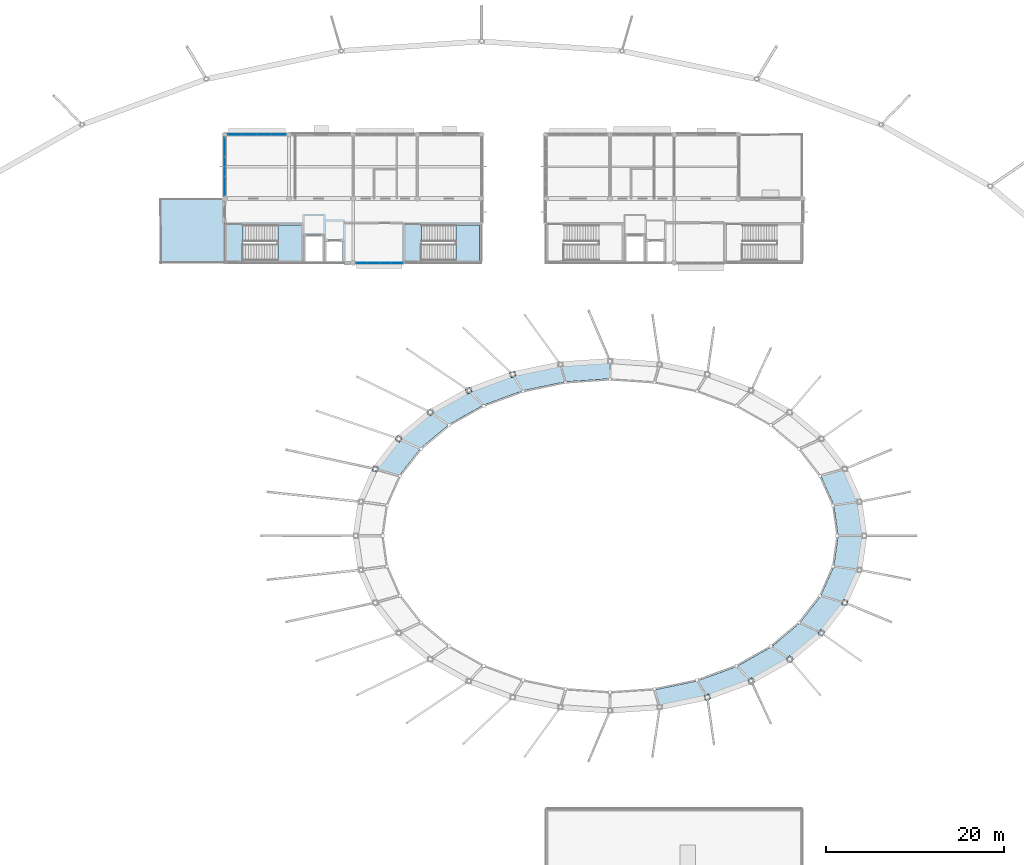
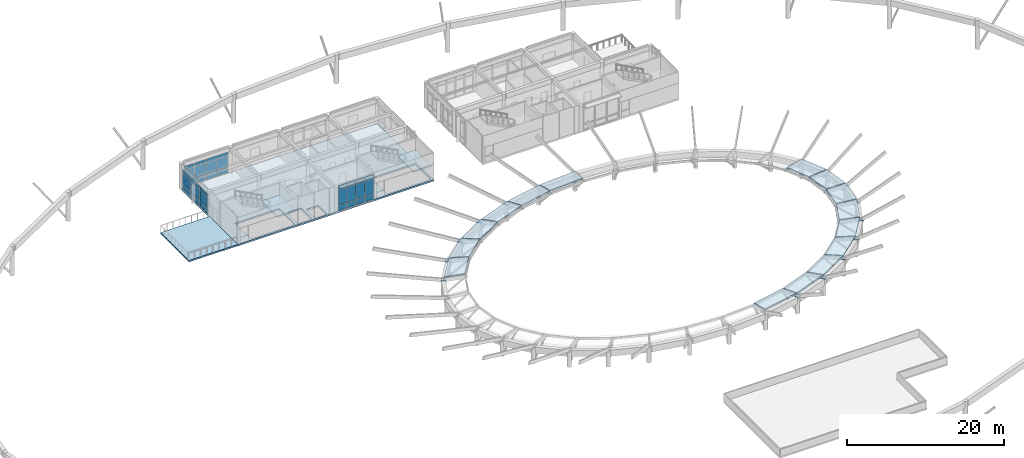
# One storey, part 15 of 37: 43 plates, 19 slabs, 5 elements without a shape of their own.
"""IFC4 building model written with IfcOpenShell, lengths in metres."""

from ifc_helpers import new_model, si_unit, direction, frame, origin, origin_2d, place, context, subcontext, project, spatial, polyline, rectangle, outline, extrude, material, layer, layer_set, type_object, element, aggregate, save


model = new_model("IFC4")

# Units and contexts
model_context = context("Model", 3, precision=1e-05, world=origin(), true_north=direction((0.0, 1.0)))
body_context = subcontext(model_context, "Body", "Model", "MODEL_VIEW")
ifc_project = project(units=[si_unit("LENGTHUNIT", "METRE"), si_unit("AREAUNIT", "SQUARE_METRE"), si_unit("VOLUMEUNIT", "CUBIC_METRE"), si_unit("PLANEANGLEUNIT", "RADIAN"), si_unit("MASSUNIT", "GRAM", prefix="KILO")], contexts=[model_context])

# Site, building, storey
site_placement = place(None, origin())
site = spatial("IfcSite", under=ifc_project, at=site_placement, CompositionType="ELEMENT")
building_placement = place(site_placement, origin())
building = spatial("IfcBuilding", under=site, at=building_placement, Name="Namkhue Oval Health Centre", CompositionType="ELEMENT")
storey_placement = place(building_placement, frame((0.0, 0.0, 22.199951171875)))
storey = spatial("IfcBuildingStorey", under=building, at=storey_placement, Name="L05", CompositionType="ELEMENT", Elevation=22.199951171875)

# Curtain wall, plates
ifc_material_1 = material(Name="Anodised aluminium EN AW-6063 T6", Category="aluminium")
ifc_layer_1 = layer(ifc_material_1, 0.159912109375)
ifc_layer_set_1 = layer_set([ifc_layer_1], Name="Anodised aluminium EN AW-6063 T6")
curtain_wall_type_1 = type_object("IfcCurtainWallType", Name="UNITISED CURTAIN WALL M1200", PredefinedType="NOTDEFINED", material=ifc_layer_set_1)
curtain_wall_1_placement = place(storey_placement, origin())
curtain_wall_1 = element("IfcCurtainWall", 1, at=curtain_wall_1_placement, inside=storey, type_object=curtain_wall_type_1, Name="Volume V2 L05 Unitised Curtain Wall 85", PredefinedType="NOTDEFINED")
ifc_material_2 = material(Name="Thermally broken low-E laminated double glazing", Category="glass")
ifc_layer_2 = layer(ifc_material_2, 0.02587890625)
ifc_layer_set_2 = layer_set([ifc_layer_2], Name="Thermally broken low-E laminated double glazing")
plate_type_1 = type_object("IfcPlateType", Name="CURTAIN WALL GLAZED PANEL 26", PredefinedType="CURTAIN_PANEL", material=ifc_layer_set_2)
plate_1_placement = place(storey_placement, frame((72.9853515625, 90.0, 0.06494140625), z_axis=(0.0, 0.0, 1.0), x_axis=(1.0, 0.0, 0.0)))
plate_1 = element("IfcPlate", 2, at=plate_1_placement, type_object=plate_type_1, Name="CW-01 panel 1.1", PredefinedType="CURTAIN_PANEL", context=body_context, shape_type="SweptSolid", body=[
    extrude(rectangle(XDim=1.220703125, YDim=0.02587890625, at=origin_2d()), origin(), (0.0, 0.0, 1.0), 0.802490234375),
])
plate_2_placement = place(storey_placement, frame((72.9853515625, 90.0, 0.9326171875), z_axis=(0.0, 0.0, 1.0), x_axis=(1.0, 0.0, 0.0)))
plate_2 = element("IfcPlate", 3, at=plate_2_placement, type_object=plate_type_1, Name="CW-01 panel 1.2", PredefinedType="CURTAIN_PANEL", context=body_context, shape_type="SweptSolid", body=[
    extrude(rectangle(XDim=1.220703125, YDim=0.02587890625, at=origin_2d()), origin(), (0.0, 0.0, 1.0), 2.360107421875),
])
plate_3_placement = place(storey_placement, frame((72.9853515625, 90.0, 3.357421875), z_axis=(0.0, 0.0, 1.0), x_axis=(1.0, 0.0, 0.0)))
plate_3 = element("IfcPlate", 4, at=plate_3_placement, type_object=plate_type_1, Name="CW-01 panel 1.3", PredefinedType="CURTAIN_PANEL", context=body_context, shape_type="SweptSolid", body=[
    extrude(rectangle(XDim=1.220703125, YDim=0.02587890625, at=origin_2d()), origin(), (0.0, 0.0, 1.0), 0.552490234375),
])
plate_4_placement = place(storey_placement, frame((74.287353515625, 90.0, 0.06494140625), z_axis=(0.0, 0.0, 1.0), x_axis=(1.0, 0.0, 0.0)))
plate_4 = element("IfcPlate", 5, at=plate_4_placement, type_object=plate_type_1, Name="CW-01 panel 2.1", PredefinedType="CURTAIN_PANEL", context=body_context, shape_type="SweptSolid", body=[
    extrude(rectangle(XDim=1.253173828125, YDim=0.02587890625, at=origin_2d()), origin(), (0.0, 0.0, 1.0), 0.802490234375),
])
plate_5_placement = place(storey_placement, frame((74.287353515625, 90.0, 0.9326171875), z_axis=(0.0, 0.0, 1.0), x_axis=(1.0, 0.0, 0.0)))
plate_5 = element("IfcPlate", 6, at=plate_5_placement, type_object=plate_type_1, Name="CW-01 panel 2.2", PredefinedType="CURTAIN_PANEL", context=body_context, shape_type="SweptSolid", body=[
    extrude(rectangle(XDim=1.253173828125, YDim=0.02587890625, at=origin_2d()), origin(), (0.0, 0.0, 1.0), 2.360107421875),
])
plate_6_placement = place(storey_placement, frame((74.287353515625, 90.0, 3.357421875), z_axis=(0.0, 0.0, 1.0), x_axis=(1.0, 0.0, 0.0)))
plate_6 = element("IfcPlate", 7, at=plate_6_placement, type_object=plate_type_1, Name="CW-01 panel 2.3", PredefinedType="CURTAIN_PANEL", context=body_context, shape_type="SweptSolid", body=[
    extrude(rectangle(XDim=1.253173828125, YDim=0.02587890625, at=origin_2d()), origin(), (0.0, 0.0, 1.0), 0.552490234375),
])
plate_7_placement = place(storey_placement, frame((75.605712890625, 90.0, 0.06494140625), z_axis=(0.0, 0.0, 1.0), x_axis=(1.0, 0.0, 0.0)))
plate_7 = element("IfcPlate", 8, at=plate_7_placement, type_object=plate_type_1, Name="CW-01 panel 3.1", PredefinedType="CURTAIN_PANEL", context=body_context, shape_type="SweptSolid", body=[
    extrude(rectangle(XDim=1.253173828125, YDim=0.02587890625, at=origin_2d()), origin(), (0.0, 0.0, 1.0), 0.802490234375),
])
plate_8_placement = place(storey_placement, frame((75.605712890625, 90.0, 0.9326171875), z_axis=(0.0, 0.0, 1.0), x_axis=(1.0, 0.0, 0.0)))
plate_8 = element("IfcPlate", 9, at=plate_8_placement, type_object=plate_type_1, Name="CW-01 panel 3.2", PredefinedType="CURTAIN_PANEL", context=body_context, shape_type="SweptSolid", body=[
    extrude(rectangle(XDim=1.253173828125, YDim=0.02587890625, at=origin_2d()), origin(), (0.0, 0.0, 1.0), 2.360107421875),
])
plate_9_placement = place(storey_placement, frame((75.605712890625, 90.0, 3.357421875), z_axis=(0.0, 0.0, 1.0), x_axis=(1.0, 0.0, 0.0)))
plate_9 = element("IfcPlate", 10, at=plate_9_placement, type_object=plate_type_1, Name="CW-01 panel 3.3", PredefinedType="CURTAIN_PANEL", context=body_context, shape_type="SweptSolid", body=[
    extrude(rectangle(XDim=1.253173828125, YDim=0.02587890625, at=origin_2d()), origin(), (0.0, 0.0, 1.0), 0.552490234375),
])
plate_10_placement = place(storey_placement, frame((76.90771484375, 90.0, 0.06494140625), z_axis=(0.0, 0.0, 1.0), x_axis=(1.0, 0.0, 0.0)))
plate_10 = element("IfcPlate", 11, at=plate_10_placement, type_object=plate_type_1, Name="CW-01 panel 4.1", PredefinedType="CURTAIN_PANEL", context=body_context, shape_type="SweptSolid", body=[
    extrude(rectangle(XDim=1.220703125, YDim=0.02587890625, at=origin_2d()), origin(), (0.0, 0.0, 1.0), 0.802490234375),
])
plate_11_placement = place(storey_placement, frame((76.90771484375, 90.0, 0.9326171875), z_axis=(0.0, 0.0, 1.0), x_axis=(1.0, 0.0, 0.0)))
plate_11 = element("IfcPlate", 12, at=plate_11_placement, type_object=plate_type_1, Name="CW-01 panel 4.2", PredefinedType="CURTAIN_PANEL", context=body_context, shape_type="SweptSolid", body=[
    extrude(rectangle(XDim=1.220703125, YDim=0.02587890625, at=origin_2d()), origin(), (0.0, 0.0, 1.0), 2.360107421875),
])
plate_12_placement = place(storey_placement, frame((76.90771484375, 90.0, 3.357421875), z_axis=(0.0, 0.0, 1.0), x_axis=(1.0, 0.0, 0.0)))
plate_12 = element("IfcPlate", 13, at=plate_12_placement, type_object=plate_type_1, Name="CW-01 panel 4.3", PredefinedType="CURTAIN_PANEL", context=body_context, shape_type="SweptSolid", body=[
    extrude(rectangle(XDim=1.220703125, YDim=0.02587890625, at=origin_2d()), origin(), (0.0, 0.0, 1.0), 0.552490234375),
])
aggregate(curtain_wall_1, [plate_1, plate_2, plate_3, plate_4, plate_5, plate_6, plate_7, plate_8, plate_9, plate_10, plate_11, plate_12])

ifc_layer_3 = layer(ifc_material_1, 0.159912109375)
ifc_layer_set_3 = layer_set([ifc_layer_3], Name="Anodised aluminium EN AW-6063 T6")
curtain_wall_type_2 = type_object("IfcCurtainWallType", Name="UNITISED CURTAIN WALL M1800", PredefinedType="NOTDEFINED", material=ifc_layer_set_3)
curtain_wall_2_placement = place(storey_placement, origin())
curtain_wall_2 = element("IfcCurtainWall", 14, at=curtain_wall_2_placement, inside=storey, type_object=curtain_wall_type_2, Name="Volume V2 L05 Unitised Curtain Wall 89", PredefinedType="NOTDEFINED")
plate_13_placement = place(storey_placement, frame((63.6513671875, 104.39990234375, 0.06494140625), z_axis=(0.0, 0.0, 1.0), x_axis=(-1.0, 0.0, 0.0)))
plate_13 = element("IfcPlate", 15, at=plate_13_placement, type_object=plate_type_1, Name="CW-05 panel 1.1", PredefinedType="CURTAIN_PANEL", context=body_context, shape_type="SweptSolid", body=[
    extrude(rectangle(XDim=1.547607421875, YDim=0.02587890625, at=origin_2d()), origin(), (0.0, 0.0, 1.0), 0.802490234375),
])
plate_14_placement = place(storey_placement, frame((63.6513671875, 104.39990234375, 0.9326171875), z_axis=(0.0, 0.0, 1.0), x_axis=(-1.0, 0.0, 0.0)))
plate_14 = element("IfcPlate", 16, at=plate_14_placement, type_object=plate_type_1, Name="CW-05 panel 1.2", PredefinedType="CURTAIN_PANEL", context=body_context, shape_type="SweptSolid", body=[
    extrude(rectangle(XDim=1.547607421875, YDim=0.02587890625, at=origin_2d()), origin(), (0.0, 0.0, 1.0), 1.7099609375),
])
plate_15_placement = place(storey_placement, frame((63.6513671875, 104.39990234375, 2.70751953125), z_axis=(0.0, 0.0, 1.0), x_axis=(-1.0, 0.0, 0.0)))
plate_15 = element("IfcPlate", 17, at=plate_15_placement, type_object=plate_type_1, Name="CW-05 panel 1.3", PredefinedType="CURTAIN_PANEL", context=body_context, shape_type="SweptSolid", body=[
    extrude(rectangle(XDim=1.547607421875, YDim=0.02587890625, at=origin_2d()), origin(), (0.0, 0.0, 1.0), 0.552490234375),
])
plate_16_placement = place(storey_placement, frame((62.0224609375, 104.39990234375, 0.06494140625), z_axis=(0.0, 0.0, 1.0), x_axis=(-1.0, 0.0, 0.0)))
plate_16 = element("IfcPlate", 18, at=plate_16_placement, type_object=plate_type_1, Name="CW-05 panel 2.1", PredefinedType="CURTAIN_PANEL", context=body_context, shape_type="SweptSolid", body=[
    extrude(rectangle(XDim=1.580078125, YDim=0.02587890625, at=origin_2d()), origin(), (0.0, 0.0, 1.0), 0.802490234375),
])
plate_17_placement = place(storey_placement, frame((62.0224609375, 104.39990234375, 0.9326171875), z_axis=(0.0, 0.0, 1.0), x_axis=(-1.0, 0.0, 0.0)))
plate_17 = element("IfcPlate", 19, at=plate_17_placement, type_object=plate_type_1, Name="CW-05 panel 2.2", PredefinedType="CURTAIN_PANEL", context=body_context, shape_type="SweptSolid", body=[
    extrude(rectangle(XDim=1.580078125, YDim=0.02587890625, at=origin_2d()), origin(), (0.0, 0.0, 1.0), 1.7099609375),
])
plate_18_placement = place(storey_placement, frame((62.0224609375, 104.39990234375, 2.70751953125), z_axis=(0.0, 0.0, 1.0), x_axis=(-1.0, 0.0, 0.0)))
plate_18 = element("IfcPlate", 20, at=plate_18_placement, type_object=plate_type_1, Name="CW-05 panel 2.3", PredefinedType="CURTAIN_PANEL", context=body_context, shape_type="SweptSolid", body=[
    extrude(rectangle(XDim=1.580078125, YDim=0.02587890625, at=origin_2d()), origin(), (0.0, 0.0, 1.0), 0.552490234375),
])
plate_19_placement = place(storey_placement, frame((60.37744140625, 104.39990234375, 0.06494140625), z_axis=(0.0, 0.0, 1.0), x_axis=(-1.0, 0.0, 0.0)))
plate_19 = element("IfcPlate", 21, at=plate_19_placement, type_object=plate_type_1, Name="CW-05 panel 3.1", PredefinedType="CURTAIN_PANEL", context=body_context, shape_type="SweptSolid", body=[
    extrude(rectangle(XDim=1.580078125, YDim=0.02587890625, at=origin_2d()), origin(), (0.0, 0.0, 1.0), 0.802490234375),
])
plate_20_placement = place(storey_placement, frame((60.37744140625, 104.39990234375, 0.9326171875), z_axis=(0.0, 0.0, 1.0), x_axis=(-1.0, 0.0, 0.0)))
plate_20 = element("IfcPlate", 22, at=plate_20_placement, type_object=plate_type_1, Name="CW-05 panel 3.2", PredefinedType="CURTAIN_PANEL", context=body_context, shape_type="SweptSolid", body=[
    extrude(rectangle(XDim=1.580078125, YDim=0.02587890625, at=origin_2d()), origin(), (0.0, 0.0, 1.0), 1.7099609375),
])
plate_21_placement = place(storey_placement, frame((60.37744140625, 104.39990234375, 2.70751953125), z_axis=(0.0, 0.0, 1.0), x_axis=(-1.0, 0.0, 0.0)))
plate_21 = element("IfcPlate", 23, at=plate_21_placement, type_object=plate_type_1, Name="CW-05 panel 3.3", PredefinedType="CURTAIN_PANEL", context=body_context, shape_type="SweptSolid", body=[
    extrude(rectangle(XDim=1.580078125, YDim=0.02587890625, at=origin_2d()), origin(), (0.0, 0.0, 1.0), 0.552490234375),
])
plate_22_placement = place(storey_placement, frame((58.748779296875, 104.39990234375, 0.06494140625), z_axis=(0.0, 0.0, 1.0), x_axis=(-1.0, 0.0, 0.0)))
plate_22 = element("IfcPlate", 24, at=plate_22_placement, type_object=plate_type_1, Name="CW-05 panel 4.1", PredefinedType="CURTAIN_PANEL", context=body_context, shape_type="SweptSolid", body=[
    extrude(rectangle(XDim=1.547607421875, YDim=0.02587890625, at=origin_2d()), origin(), (0.0, 0.0, 1.0), 0.802490234375),
])
plate_23_placement = place(storey_placement, frame((58.748779296875, 104.39990234375, 0.9326171875), z_axis=(0.0, 0.0, 1.0), x_axis=(-1.0, 0.0, 0.0)))
plate_23 = element("IfcPlate", 25, at=plate_23_placement, type_object=plate_type_1, Name="CW-05 panel 4.2", PredefinedType="CURTAIN_PANEL", context=body_context, shape_type="SweptSolid", body=[
    extrude(rectangle(XDim=1.547607421875, YDim=0.02587890625, at=origin_2d()), origin(), (0.0, 0.0, 1.0), 1.7099609375),
])
plate_24_placement = place(storey_placement, frame((58.748779296875, 104.39990234375, 2.70751953125), z_axis=(0.0, 0.0, 1.0), x_axis=(-1.0, 0.0, 0.0)))
plate_24 = element("IfcPlate", 26, at=plate_24_placement, type_object=plate_type_1, Name="CW-05 panel 4.3", PredefinedType="CURTAIN_PANEL", context=body_context, shape_type="SweptSolid", body=[
    extrude(rectangle(XDim=1.547607421875, YDim=0.02587890625, at=origin_2d()), origin(), (0.0, 0.0, 1.0), 0.552490234375),
])
aggregate(curtain_wall_2, [plate_13, plate_14, plate_15, plate_16, plate_17, plate_18, plate_19, plate_20, plate_21, plate_22, plate_23, plate_24])

ifc_layer_4 = layer(ifc_material_1, 0.159912109375)
ifc_layer_set_4 = layer_set([ifc_layer_4], Name="Anodised aluminium EN AW-6063 T6")
curtain_wall_type_3 = type_object("IfcCurtainWallType", Name="UNITISED CURTAIN WALL M2000", PredefinedType="NOTDEFINED", material=ifc_layer_set_4)
curtain_wall_3_placement = place(storey_placement, origin())
curtain_wall_3 = element("IfcCurtainWall", 27, at=curtain_wall_3_placement, inside=storey, type_object=curtain_wall_type_3, Name="Volume V2 L05 Unitised Curtain Wall 90", PredefinedType="NOTDEFINED")
ifc_layer_5 = layer(ifc_material_2, 0.028076171875)
ifc_layer_set_5 = layer_set([ifc_layer_5], Name="Thermally broken low-E laminated double glazing")
plate_type_2 = type_object("IfcPlateType", Name="CURTAIN WALL GLAZED PANEL 28", PredefinedType="CURTAIN_PANEL", material=ifc_layer_set_5)
plate_25_placement = place(storey_placement, frame((57.60009765625, 102.974609375, 0.074951171875), z_axis=(0.0, 0.0, 1.0), x_axis=(0.0, -1.0, 0.0)))
plate_25 = element("IfcPlate", 28, at=plate_25_placement, type_object=plate_type_2, Name="CW-06 panel 1.1", PredefinedType="CURTAIN_PANEL", context=body_context, shape_type="SweptSolid", body=[
    extrude(rectangle(XDim=2.080810546875, YDim=0.028076171875, at=origin_2d()), origin(), (0.0, 0.0, 1.0), 0.78759765625),
])
plate_26_placement = place(storey_placement, frame((57.60009765625, 102.974609375, 0.9375), z_axis=(0.0, 0.0, 1.0), x_axis=(0.0, -1.0, 0.0)))
plate_26 = element("IfcPlate", 29, at=plate_26_placement, type_object=plate_type_2, Name="CW-06 panel 1.2", PredefinedType="CURTAIN_PANEL", context=body_context, shape_type="SweptSolid", body=[
    extrude(rectangle(XDim=2.080810546875, YDim=0.028076171875, at=origin_2d()), origin(), (0.0, 0.0, 1.0), 1.699951171875),
])
plate_27_placement = place(storey_placement, frame((57.60009765625, 102.974609375, 2.71240234375), z_axis=(0.0, 0.0, 1.0), x_axis=(0.0, -1.0, 0.0)))
plate_27 = element("IfcPlate", 30, at=plate_27_placement, type_object=plate_type_2, Name="CW-06 panel 1.3", PredefinedType="CURTAIN_PANEL", context=body_context, shape_type="SweptSolid", body=[
    extrude(rectangle(XDim=2.080810546875, YDim=0.028076171875, at=origin_2d()), origin(), (0.0, 0.0, 1.0), 0.53759765625),
])
plate_28_placement = place(storey_placement, frame((57.60009765625, 100.800048828125, 0.074951171875), z_axis=(0.0, 0.0, 1.0), x_axis=(0.0, -1.0, 0.0)))
plate_28 = element("IfcPlate", 31, at=plate_28_placement, type_object=plate_type_2, Name="CW-06 panel 2.1", PredefinedType="CURTAIN_PANEL", context=body_context, shape_type="SweptSolid", body=[
    extrude(rectangle(XDim=2.118408203125, YDim=0.028076171875, at=origin_2d()), origin(), (0.0, 0.0, 1.0), 0.78759765625),
])
plate_29_placement = place(storey_placement, frame((57.60009765625, 100.800048828125, 0.9375), z_axis=(0.0, 0.0, 1.0), x_axis=(0.0, -1.0, 0.0)))
plate_29 = element("IfcPlate", 32, at=plate_29_placement, type_object=plate_type_2, Name="CW-06 panel 2.2", PredefinedType="CURTAIN_PANEL", context=body_context, shape_type="SweptSolid", body=[
    extrude(rectangle(XDim=2.118408203125, YDim=0.028076171875, at=origin_2d()), origin(), (0.0, 0.0, 1.0), 1.699951171875),
])
plate_30_placement = place(storey_placement, frame((57.60009765625, 100.800048828125, 2.71240234375), z_axis=(0.0, 0.0, 1.0), x_axis=(0.0, -1.0, 0.0)))
plate_30 = element("IfcPlate", 33, at=plate_30_placement, type_object=plate_type_2, Name="CW-06 panel 2.3", PredefinedType="CURTAIN_PANEL", context=body_context, shape_type="SweptSolid", body=[
    extrude(rectangle(XDim=2.118408203125, YDim=0.028076171875, at=origin_2d()), origin(), (0.0, 0.0, 1.0), 0.53759765625),
])
plate_31_placement = place(storey_placement, frame((57.60009765625, 98.62548828125, 0.074951171875), z_axis=(0.0, 0.0, 1.0), x_axis=(0.0, -1.0, 0.0)))
plate_31 = element("IfcPlate", 34, at=plate_31_placement, type_object=plate_type_2, Name="CW-06 panel 3.1", PredefinedType="CURTAIN_PANEL", context=body_context, shape_type="SweptSolid", body=[
    extrude(rectangle(XDim=2.080810546875, YDim=0.028076171875, at=origin_2d()), origin(), (0.0, 0.0, 1.0), 0.78759765625),
])
plate_32_placement = place(storey_placement, frame((57.60009765625, 98.62548828125, 0.9375), z_axis=(0.0, 0.0, 1.0), x_axis=(0.0, -1.0, 0.0)))
plate_32 = element("IfcPlate", 35, at=plate_32_placement, type_object=plate_type_2, Name="CW-06 panel 3.2", PredefinedType="CURTAIN_PANEL", context=body_context, shape_type="SweptSolid", body=[
    extrude(rectangle(XDim=2.080810546875, YDim=0.028076171875, at=origin_2d()), origin(), (0.0, 0.0, 1.0), 1.699951171875),
])
plate_33_placement = place(storey_placement, frame((57.60009765625, 98.62548828125, 2.71240234375), z_axis=(0.0, 0.0, 1.0), x_axis=(0.0, -1.0, 0.0)))
plate_33 = element("IfcPlate", 36, at=plate_33_placement, type_object=plate_type_2, Name="CW-06 panel 3.3", PredefinedType="CURTAIN_PANEL", context=body_context, shape_type="SweptSolid", body=[
    extrude(rectangle(XDim=2.080810546875, YDim=0.028076171875, at=origin_2d()), origin(), (0.0, 0.0, 1.0), 0.53759765625),
])
aggregate(curtain_wall_3, [plate_25, plate_26, plate_27, plate_28, plate_29, plate_30, plate_31, plate_32, plate_33])

# Slab
ifc_material_3 = material(Name="Reinforced concrete C30/37 (TCVN B35)", Category="concrete")
ifc_layer_6 = layer(ifc_material_3, 0.23193359375)
ifc_layer_set_6 = layer_set([ifc_layer_6], Name="Reinforced concrete C30/37 (TCVN B35)")
slab_type_1 = type_object("IfcSlabType", Name="EXTERIOR TERRACE SLAB 232", PredefinedType="FLOOR", material=ifc_layer_set_6)
slab_1_placement = place(storey_placement, frame((0.0, 0.0, -0.23193359375)))
element("IfcSlab", 37, at=slab_1_placement, inside=storey, type_object=slab_type_1, Name="Volume V2 L05 Exterior Roof Terrace Slab", PredefinedType="FLOOR", context=body_context, shape_type="SweptSolid", body=[
    extrude(outline(polyline([(50.39990234375, 90.0), (57.60009765625, 90.0), (57.60009765625, 97.199951171875), (50.39990234375, 97.199951171875), (50.39990234375, 90.0)])), origin(), (0.0, 0.0, 1.0), 0.23193359375),
])

# Plates
ifc_material_4 = material(Name="Structural steel EN 10025-2 S355JR (TCVN 5575:2024)", Category="steel")
ifc_layer_7 = layer(ifc_material_4, 0.02490234375)
ifc_layer_set_7 = layer_set([ifc_layer_7], Name="Structural steel EN 10025-2 S355JR (TCVN 5575:2024)")
plate_type_3 = type_object("IfcPlateType", Name="GRIDSHELL GUSSET PLATE 600X600X25", PredefinedType="USERDEFINED", material=ifc_layer_set_7)
for number, where, z_axis, x_axis, name in (
    (38, (89.888916015625, 77.509765625, 2.607666015625), (0.0, 0.0, 1.0), (-0.382683432365, 0.923879532511, 0.0), "Gridshell Node Gusset Plate K6-11"),
    (39, (84.95947265625, 75.698486328125, 2.607666015625), (0.0, 0.0, 1.0), (-0.55557023302, 0.831469612303, 0.0), "Gridshell Node Gusset Plate K6-12"),
    (40, (80.638916015625, 73.2607421875, 2.607666015625), (0.0, 0.0, 1.0), (-0.707106781187, 0.707106781187, 0.0), "Gridshell Node Gusset Plate K6-13"),
    (41, (77.093017578125, 70.290283203125, 2.607666015625), (0.0, 0.0, 1.0), (-0.831469612303, 0.55557023302, 0.0), "Gridshell Node Gusset Plate K6-14"),
    (42, (74.458251953125, 66.9013671875, 2.607666015625), (0.0, 0.0, 1.0), (-0.923879532511, 0.382683432365, 0.0), "Gridshell Node Gusset Plate K6-15"),
    (43, (111.711181640625, 41.2900390625, 2.607666015625), (0.0, 0.0, 1.0), (0.382683432365, -0.923879532511, 0.0), "Gridshell Node Gusset Plate K6-27"),
    (44, (116.640380859375, 43.1015625, 2.607666015625), (0.0, 0.0, 1.0), (0.55557023302, -0.831469612303, 0.0), "Gridshell Node Gusset Plate K6-28"),
    (45, (120.9609375, 45.539306640625, 2.607666015625), (0.0, 0.0, 1.0), (0.707106781187, -0.707106781187, 0.0), "Gridshell Node Gusset Plate K6-29"),
    (46, (124.5068359375, 48.509765625, 2.607666015625), (0.0, 0.0, 1.0), (0.831469612303, -0.55557023302, 0.0), "Gridshell Node Gusset Plate K6-30"),
    (47, (127.1416015625, 51.898681640625, 2.607666015625), (0.0, 0.0, 1.0), (0.923879532511, -0.382683432365, 0.0), "Gridshell Node Gusset Plate K6-31"),
):
    element("IfcPlate", number, at=place(storey_placement, frame(where, z_axis=z_axis, x_axis=x_axis)), inside=storey, type_object=plate_type_3, Name=name, ObjectType="GUSSET_PLATE", PredefinedType="USERDEFINED", context=body_context, shape_type="SweptSolid", body=[
        extrude(rectangle(XDim=0.60009765625, YDim=0.60009765625, at=origin_2d()), origin(), (0.0, 0.0, 1.0), 0.02490234375),
    ])

# Slabs
ifc_layer_8 = layer(ifc_material_3, 0.18994140625)
ifc_layer_set_8 = layer_set([ifc_layer_8], Name="Reinforced concrete C30/37 (TCVN B35)")
slab_type_2 = type_object("IfcSlabType", Name="GRIDSHELL ROOF PANEL 190", PredefinedType="ROOF", material=ifc_layer_set_8)
slab_2_placement = place(storey_placement, frame((129.215087890625, 59.44189453125, 3.033203125), z_axis=(0.013226915044, 0.001894905502, 0.999910725041), x_axis=(-0.141820619058, 0.989892373953, 9.6782e-08)))
element("IfcSlab", 48, at=slab_2_placement, inside=storey, type_object=slab_type_2, Name="Gridshell Planar Roof Panel K6-1", PredefinedType="ROOF", context=body_context, shape_type="SweptSolid", body=[
    extrude(outline(polyline([(0.0, 0.0), (3.766586877320979, 1.1102230246251565e-16), (3.7844325695074414, 2.813755825064358), (0.40309464403786166, 2.8138075984584368), (0.0, 0.0)])), origin(), (0.0, 0.0, -1.0), 0.18994140625),
])
slab_3_placement = place(storey_placement, frame((128.65380859375, 63.25146484375, 3.033203125), z_axis=(0.012751836889, 0.005626725158, 0.999902860592), x_axis=(-0.403721470556, 0.914881945506, 4.01121e-07)))
element("IfcSlab", 49, at=slab_3_placement, inside=storey, type_object=slab_type_2, Name="Gridshell Planar Roof Panel K6-2", PredefinedType="ROOF", context=body_context, shape_type="SweptSolid", body=[
    extrude(outline(polyline([(0.0, 0.0), (3.91982994865097, -4.440892098500626e-16), (4.29477036195786, 2.697358653553296), (0.77478337421395, 2.6975727626050934), (0.0, 0.0)])), origin(), (0.0, 0.0, -1.0), 0.18994140625),
])
slab_4_placement = place(storey_placement, frame((100.758056640625, 78.908935546875, 3.03369140625), z_axis=(-0.001305462361, 0.019284867777, 0.99981317737), x_axis=(-0.997715626836, -0.06755388936, 2.8768e-07)))
element("IfcSlab", 50, at=slab_4_placement, inside=storey, type_object=slab_type_2, Name="Gridshell Planar Roof Panel K6-9", PredefinedType="ROOF", context=body_context, shape_type="SweptSolid", body=[
    extrude(outline(polyline([(0.0, 0.0), (5.464386997944692, 0.0), (5.05283252638707, 1.8945436629374628), (0.12826334001553816, 1.8946982853635232), (0.0, 0.0)])), origin(), (0.0, 0.0, -1.0), 0.18994140625),
])
slab_5_placement = place(storey_placement, frame((95.221435546875, 78.530029296875, 3.03369140625), z_axis=(-0.003859840141, 0.018508904332, 0.999821245071), x_axis=(-0.978937138918, -0.204161891761, 2.72108e-07)))
element("IfcSlab", 51, at=slab_5_placement, inside=storey, type_object=slab_type_2, Name="Gridshell Planar Roof Panel K6-10", PredefinedType="ROOF", context=body_context, shape_type="SweptSolid", body=[
    extrude(outline(polyline([(0.0, 0.0), (5.352484741937321, 0.0), (4.674727653614218, 1.9368305352202633), (-0.14751581945565914, 1.9369769681754718), (0.0, 0.0)])), origin(), (0.0, 0.0, -1.0), 0.18994140625),
])
slab_6_placement = place(storey_placement, frame((89.89599609375, 77.416748046875, 3.03369140625), z_axis=(-0.006245252059, 0.016995810219, 0.999836056192), x_axis=(-0.938631478879, -0.344921653216, 2.32821e-07)))
element("IfcSlab", 52, at=slab_6_placement, inside=storey, type_object=slab_type_2, Name="Gridshell Planar Roof Panel K6-11", PredefinedType="ROOF", context=body_context, shape_type="SweptSolid", body=[
    extrude(outline(polyline([(0.0, 0.0), (5.140150471499643, -2.220446049250313e-16), (4.239630039149614, 2.0224365198295766), (-0.3891122676158007, 2.022562129158965), (0.0, 0.0)])), origin(), (0.0, 0.0, -1.0), 0.18994140625),
])
slab_7_placement = place(storey_placement, frame((84.986572265625, 75.6103515625, 3.03369140625), z_axis=(-0.008419714389, 0.014923690668, 0.999853185156), x_axis=(-0.870949745798, -0.49137209963, -6.2898e-08)))
element("IfcSlab", 53, at=slab_7_placement, inside=storey, type_object=slab_type_2, Name="Gridshell Planar Roof Panel K6-12", PredefinedType="ROOF", context=body_context, shape_type="SweptSolid", body=[
    extrude(outline(polyline([(0.0, 0.0), (4.850297335968478, 0.0), (3.7984269508626127, 2.151472368371266), (-0.5663832022298279, 2.1514385420953444), (0.0, 0.0)])), origin(), (0.0, 0.0, -1.0), 0.18994140625),
])
slab_8_placement = place(storey_placement, frame((80.6826171875, 73.1796875, 3.033447265625), z_axis=(-0.010269692759, 0.012260105562, 0.999872103432), x_axis=(-0.766588779143, -0.642138336881, 5.2568e-08)))
element("IfcSlab", 54, at=slab_8_placement, inside=storey, type_object=slab_type_2, Name="Gridshell Planar Roof Panel K6-13", PredefinedType="ROOF", context=body_context, shape_type="SweptSolid", body=[
    extrude(outline(polyline([(0.0, 0.0), (4.517909735858683, 0.0), (3.417307137189499, 2.3203365530969404), (-0.6451573638650602, 2.3203647560579364), (0.0, 0.0)])), origin(), (0.0, 0.0, -1.0), 0.18994140625),
])
slab_9_placement = place(storey_placement, frame((77.150634765625, 70.217529296875, 3.033447265625), z_axis=(-0.011729214528, 0.009119124523, 0.999889627456), x_axis=(-0.613795338669, -0.789465187471, -1.05864e-07)))
element("IfcSlab", 55, at=slab_9_placement, inside=storey, type_object=slab_type_2, Name="Gridshell Planar Roof Panel K6-14", PredefinedType="ROOF", context=body_context, shape_type="SweptSolid", body=[
    extrude(outline(polyline([(0.0, 0.0), (4.188765789993723, 0.0), (3.174958772851287, 2.5142117443444763), (-0.5894745309193729, 2.5141550739291287), (0.0, 0.0)])), origin(), (0.0, 0.0, -1.0), 0.18994140625),
])
slab_10_placement = place(storey_placement, frame((106.378662109375, 40.27001953125, 3.03369140625), z_axis=(0.003860493721, -0.018509862831, 0.999821224803), x_axis=(0.978937137203, 0.204161899982, -1.71938e-07)))
element("IfcSlab", 56, at=slab_10_placement, inside=storey, type_object=slab_type_2, Name="Gridshell Planar Roof Panel K6-26", PredefinedType="ROOF", context=body_context, shape_type="SweptSolid", body=[
    extrude(outline(polyline([(0.0, 0.0), (5.35248474193744, -2.220446049250313e-16), (4.674727653614115, 1.9368305352205142), (-0.14756566366850335, 1.9367380125750524), (0.0, 0.0)])), origin(), (0.0, 0.0, -1.0), 0.18994140625),
])
slab_11_placement = place(storey_placement, frame((111.703857421875, 41.38330078125, 3.03369140625), z_axis=(0.0062455114, -0.016996063447, 0.999836050268), x_axis=(0.938631477904, 0.344921655868, 7.6765e-08)))
element("IfcSlab", 57, at=slab_11_placement, inside=storey, type_object=slab_type_2, Name="Gridshell Planar Roof Panel K6-27", PredefinedType="ROOF", context=body_context, shape_type="SweptSolid", body=[
    extrude(outline(polyline([(0.0, 0.0), (5.140150471499766, 0.0), (4.239630039149512, 2.022436519829792), (-0.38888310953999977, 2.0224779335755847), (0.0, 0.0)])), origin(), (0.0, 0.0, -1.0), 0.18994140625),
])
slab_12_placement = place(storey_placement, frame((116.61328125, 43.189697265625, 3.03369140625), z_axis=(0.008420013924, -0.014923870916, 0.999853179943), x_axis=(0.870961893236, 0.491350567853, -6.58916e-07)))
element("IfcSlab", 58, at=slab_12_placement, inside=storey, type_object=slab_type_2, Name="Gridshell Planar Roof Panel K6-28", PredefinedType="ROOF", context=body_context, shape_type="SweptSolid", body=[
    extrude(outline(polyline([(0.0, 0.0), (4.850509971666334, 0.0), (3.7983737468206704, 2.1515662974605294), (-0.566556362735464, 2.151211929615958), (0.0, 0.0)])), origin(), (0.0, 0.0, -1.0), 0.18994140625),
])
slab_13_placement = place(storey_placement, frame((120.91748046875, 45.6201171875, 3.033447265625), z_axis=(0.010270559421, -0.012259598643, 0.999872100746), x_axis=(0.766539895917, 0.642196689471, 2.80149e-07)))
element("IfcSlab", 59, at=slab_13_placement, inside=storey, type_object=slab_type_2, Name="Gridshell Planar Roof Panel K6-29", PredefinedType="ROOF", context=body_context, shape_type="SweptSolid", body=[
    extrude(outline(polyline([(0.0, 0.0), (4.517879365540937, -4.440892098500626e-16), (3.41764052864789, 2.320263553745771), (-0.6449807447906016, 2.3204138562232677), (0.0, 0.0)])), origin(), (0.0, 0.0, -1.0), 0.18994140625),
])
slab_14_placement = place(storey_placement, frame((124.449462890625, 48.582275390625, 3.033447265625), z_axis=(0.011728895373, -0.009118420332, 0.999889637622), x_axis=(0.613767098604, 0.789487142815, 6.5539e-08)))
element("IfcSlab", 60, at=slab_14_placement, inside=storey, type_object=slab_type_2, Name="Gridshell Planar Roof Panel K6-30", PredefinedType="ROOF", context=body_context, shape_type="SweptSolid", body=[
    extrude(outline(polyline([(0.0, 0.0), (4.188958533198136, 0.0), (3.174898856765462, 2.5142909015037667), (-0.5891918552564577, 2.514325986318102), (0.0, 0.0)])), origin(), (0.0, 0.0, -1.0), 0.18994140625),
])
slab_15_placement = place(storey_placement, frame((127.0712890625, 51.96240234375, 3.033203125), z_axis=(0.012751836889, -0.005626725158, 0.999902860592), x_axis=(0.403721470556, 0.914881945506, -4.01121e-07)))
element("IfcSlab", 61, at=slab_15_placement, inside=storey, type_object=slab_type_2, Name="Gridshell Planar Roof Panel K6-31", PredefinedType="ROOF", context=body_context, shape_type="SweptSolid", body=[
    extrude(outline(polyline([(0.0, 0.0), (3.91982994865097, 4.440892098500626e-16), (3.14504657443702, 2.697572762605094), (-0.37494041330688965, 2.6973586535532963), (0.0, 0.0)])), origin(), (0.0, 0.0, -1.0), 0.18994140625),
])
slab_16_placement = place(storey_placement, frame((128.680908203125, 55.629638671875, 3.033203125), z_axis=(0.013226992029, -0.001894981916, 0.999910723878), x_axis=(0.141829718407, 0.989891070258, -1.54892e-07)))
element("IfcSlab", 62, at=slab_16_placement, inside=storey, type_object=slab_type_2, Name="Gridshell Planar Roof Panel K6-32", PredefinedType="ROOF", context=body_context, shape_type="SweptSolid", body=[
    extrude(outline(polyline([(0.0, 0.0), (3.7663452045372874, -1.1102230246251565e-16), (3.363224695370443, 2.8138038930037945), (-0.01811322948033631, 2.8137210375986417), (0.0, 0.0)])), origin(), (0.0, 0.0, -1.0), 0.18994140625),
])

# Stair, slab
stair_type = type_object("IfcStairType", Name="DOGLEG EXIT STAIR H4200", PredefinedType="HALF_TURN_STAIR", material=ifc_material_3)
stair_1_placement = place(storey_placement, origin())
stair_1 = element("IfcStair", 63, at=stair_1_placement, inside=storey, type_object=stair_type, Name="Protected Exit Stair ST-03 L05", PredefinedType="HALF_TURN_STAIR")
ifc_layer_9 = layer(ifc_material_3, 0.195068359375)
ifc_layer_set_9 = layer_set([ifc_layer_9], Name="Reinforced concrete C30/37 (TCVN B35)")
slab_type_3 = type_object("IfcSlabType", Name="STAIR LANDING SLAB 195", PredefinedType="LANDING", material=ifc_layer_set_9)
slab_17_placement = place(storey_placement, frame((0.0, 0.0, 1.905029296875)))
slab_17 = element("IfcSlab", 64, at=slab_17_placement, type_object=slab_type_3, Name="ST-03 landing 1", PredefinedType="LANDING", context=body_context, shape_type="SweptSolid", body=[
    extrude(outline(polyline([(63.544921875, 90.22509765625), (66.175048828125, 90.22509765625), (66.175048828125, 94.27490234375), (63.544921875, 94.27490234375), (63.544921875, 90.22509765625)])), origin(), (0.0, 0.0, 1.0), 0.195068359375),
])
aggregate(stair_1, [slab_17])

stair_2_placement = place(storey_placement, origin())
stair_2 = element("IfcStair", 65, at=stair_2_placement, inside=storey, type_object=stair_type, Name="Protected Exit Stair ST-04 L05", PredefinedType="HALF_TURN_STAIR")
slab_18_placement = place(storey_placement, frame((0.0, 0.0, 1.905029296875)))
slab_18 = element("IfcSlab", 66, at=slab_18_placement, type_object=slab_type_3, Name="ST-04 landing 1", PredefinedType="LANDING", context=body_context, shape_type="SweptSolid", body=[
    extrude(outline(polyline([(83.544921875, 90.22509765625), (86.175048828125, 90.22509765625), (86.175048828125, 94.27490234375), (83.544921875, 94.27490234375), (83.544921875, 90.22509765625)])), origin(), (0.0, 0.0, 1.0), 0.195068359375),
])
aggregate(stair_2, [slab_18])

# Slab
ifc_layer_10 = layer(ifc_material_3, 0.260009765625)
ifc_layer_set_10 = layer_set([ifc_layer_10], Name="Reinforced concrete C30/37 (TCVN B35)")
slab_type_4 = type_object("IfcSlabType", Name="SUSPENDED FLOOR SLAB 260", PredefinedType="FLOOR", material=ifc_layer_set_10)
slab_19_placement = place(storey_placement, frame((0.0, 0.0, -0.260009765625)))
element("IfcSlab", 67, at=slab_19_placement, inside=storey, type_object=slab_type_4, Name="Volume V2 L05 Suspended Floor Slab", PredefinedType="FLOOR", context=body_context, shape_type="SweptSolid", body=[
    extrude(outline(polyline([(57.60009765625, 90.0), (86.39990234375, 90.0), (86.39990234375, 104.39990234375), (57.60009765625, 104.39990234375), (57.60009765625, 90.0)]), holes=[polyline([(59.655029296875, 90.25), (66.14990234375, 90.25), (66.14990234375, 94.25), (59.655029296875, 94.25), (59.655029296875, 90.25)]), polyline([(79.655029296875, 90.25), (86.14990234375, 90.25), (86.14990234375, 94.25), (79.655029296875, 94.25), (79.655029296875, 90.25)]), polyline([(66.60009765625, 90.199951171875), (68.60009765625, 90.199951171875), (68.60009765625, 93.0), (66.60009765625, 93.0), (66.60009765625, 90.199951171875)]), polyline([(69.0, 90.199951171875), (70.800048828125, 90.199951171875), (70.800048828125, 92.39990234375), (69.0, 92.39990234375), (69.0, 90.199951171875)])]), origin(), (0.0, 0.0, 1.0), 0.260009765625),
])

save(model, "model.ifc")
